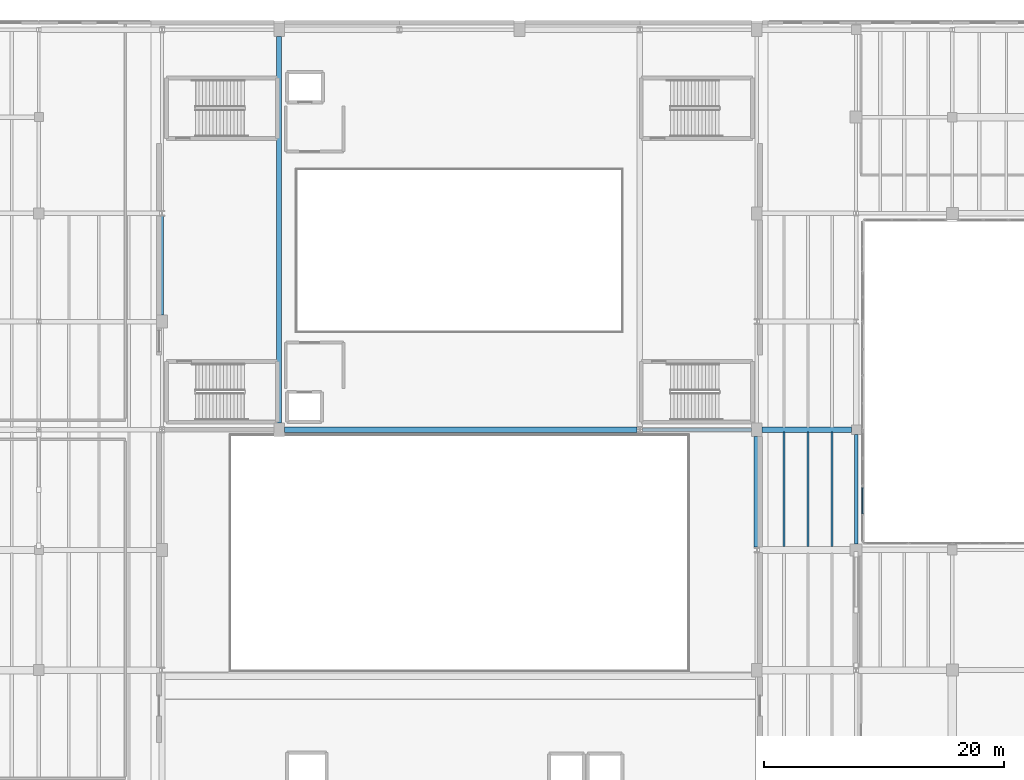
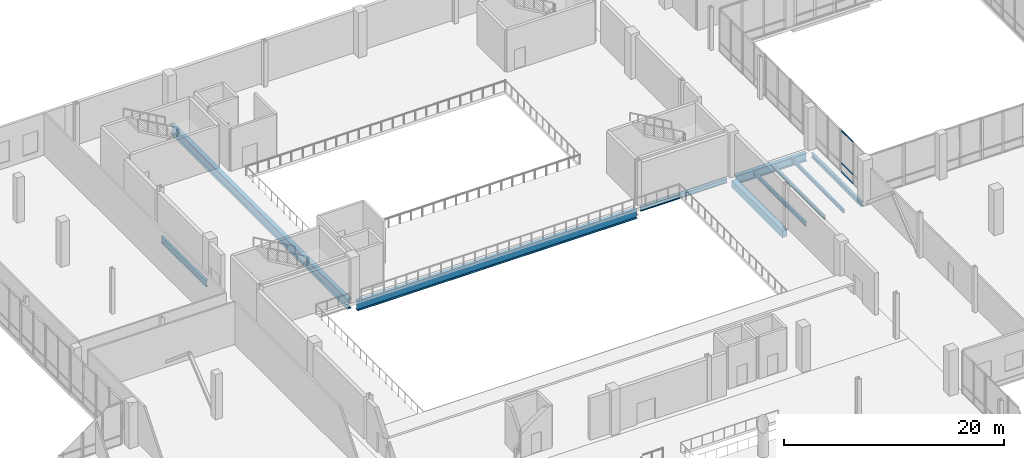
# One storey, part 35 of 73: 10 beams, 3 members, 1 element without a shape of its own.
"""IFC4 building model written with IfcOpenShell, lengths in metres."""

from ifc_helpers import new_model, si_unit, direction, frame, origin, origin_2d, place, context, subcontext, project, spatial, rectangle, i_section, extrude, material, material_profile, profile_set, type_object, element, aggregate, save


model = new_model("IFC4")

# Units and contexts
model_context = context("Model", 3, precision=1e-05, world=origin(), true_north=direction((0.0, 1.0)))
body_context = subcontext(model_context, "Body", "Model", "MODEL_VIEW")
ifc_project = project(units=[si_unit("LENGTHUNIT", "METRE"), si_unit("AREAUNIT", "SQUARE_METRE"), si_unit("VOLUMEUNIT", "CUBIC_METRE"), si_unit("PLANEANGLEUNIT", "RADIAN"), si_unit("MASSUNIT", "GRAM", prefix="KILO")], contexts=[model_context])

# Site, building, storey
site_placement = place(None, origin())
site = spatial("IfcSite", under=ifc_project, at=site_placement, CompositionType="ELEMENT")
building_placement = place(site_placement, origin())
building = spatial("IfcBuilding", under=site, at=building_placement, Name="Trimount Lyric Opera House", CompositionType="ELEMENT")
storey_placement = place(building_placement, frame((0.0, 0.0, 10.0)))
storey = spatial("IfcBuildingStorey", under=building, at=storey_placement, Name="L02", CompositionType="ELEMENT", Elevation=10.0)

# Beams
ifc_material_1 = material(Name="Steel ASTM A992 Grade 50", Category="steel")
ifc_material_profile_1 = material_profile(ifc_material_1, i_section(OverallWidth=0.4189453125, OverallDepth=0.927001953125, WebThickness=0.019287109375, FlangeThickness=0.031982421875, FilletRadius=0.02392578125, at=origin_2d()), Name="W36X231")
ifc_profile_set_1 = profile_set([ifc_material_profile_1], Name="Steel ASTM A992 Grade 50")
beam_type_1 = type_object("IfcBeamType", Name="B-02", PredefinedType="BEAM", material=ifc_profile_set_1)
beam_1_placement = place(storey_placement, frame((114.18994140625, 84.0, -0.78857421875), z_axis=(1.0, 0.0, 0.0), x_axis=(0.0, 1.0, 0.0)))
element("IfcBeam", 1, at=beam_1_placement, inside=storey, type_object=beam_type_1, Name="L02 girder X-0779", PredefinedType="BEAM", context=body_context, shape_type="SweptSolid", body=[
    extrude(i_section(OverallWidth=0.4189453125, OverallDepth=0.927001953125, WebThickness=0.019287109375, FlangeThickness=0.031982421875, FilletRadius=0.02392578125, at=origin_2d()), origin(), (0.0, 0.0, 1.0), 7.41015625),
])
ifc_material_2 = material(Name="Steel ASTM A992 Grade 50", Category="steel")
ifc_material_profile_2 = material_profile(ifc_material_2, i_section(OverallWidth=0.25390625, OverallDepth=0.68798828125, WebThickness=0.01318359375, FlangeThickness=0.02099609375, FilletRadius=0.01611328125, at=origin_2d()), Name="W27X102")
ifc_profile_set_2 = profile_set([ifc_material_profile_2], Name="Steel ASTM A992 Grade 50")
beam_type_2 = type_object("IfcBeamType", Name="B-09", PredefinedType="BEAM", material=ifc_profile_set_2)
beam_2_placement = place(storey_placement, frame((64.260009765625, 93.550048828125, -0.6689453125), z_axis=(0.0, 1.0, 0.0), x_axis=(-1.0, 0.0, 0.0)))
element("IfcBeam", 2, at=beam_2_placement, inside=storey, type_object=beam_type_2, Name="L02 girder Y-0880", PredefinedType="BEAM", context=body_context, shape_type="SweptSolid", body=[
    extrude(i_section(OverallWidth=0.25390625, OverallDepth=0.68798828125, WebThickness=0.01318359375, FlangeThickness=0.02099609375, FilletRadius=0.01611328125, at=origin_2d()), origin(), (0.0, 0.0, 1.0), 8.217529296875),
])
ifc_material_3 = material(Name="Concrete C40/50", Category="concrete")
ifc_material_profile_3 = material_profile(ifc_material_3, rectangle(XDim=0.5, YDim=0.800048828125, at=origin_2d()), Name="RC500X800")
ifc_profile_set_3 = profile_set([ifc_material_profile_3], Name="Concrete C40/50")
beam_type_3 = type_object("IfcBeamType", Name="B-15", PredefinedType="BEAM", material=ifc_profile_set_3)
beam_3_placement = place(storey_placement, frame((113.739990234375, 74.232421875, -0.72509765625), z_axis=(0.0, 1.0, 0.0), x_axis=(-1.0, 0.0, 0.0)))
element("IfcBeam", 3, at=beam_3_placement, inside=storey, type_object=beam_type_3, Name="L02 girder Y-0891", PredefinedType="BEAM", context=body_context, shape_type="SweptSolid", body=[
    extrude(rectangle(XDim=0.5, YDim=0.800048828125, at=origin_2d()), origin(), (0.0, 0.0, 1.0), 9.217529296875),
])
ifc_material_4 = material(Name="Steel ASTM A992 Grade 50", Category="steel")
ifc_material_profile_4 = material_profile(ifc_material_4, i_section(OverallWidth=0.19091796875, OverallDepth=0.45703125, WebThickness=0.009033203125, FlangeThickness=0.014404296875, FilletRadius=0.010986328125, at=origin_2d()), Name="W18X50")
ifc_profile_set_4 = profile_set([ifc_material_profile_4], Name="Steel ASTM A992 Grade 50")
beam_type_4 = type_object("IfcBeamType", Name="J-04", PredefinedType="BEAM", material=ifc_profile_set_4)
beam_4_placement = place(storey_placement, frame((116.0, 74.27099609375, -0.508544921875), z_axis=(0.0, 1.0, 0.0), x_axis=(-1.0, 0.0, 0.0)))
element("IfcBeam", 4, at=beam_4_placement, inside=storey, type_object=beam_type_4, Name="L02 composite floor joist 0914", PredefinedType="BEAM", context=body_context, shape_type="SweptSolid", body=[
    extrude(i_section(OverallWidth=0.19091796875, OverallDepth=0.45703125, WebThickness=0.009033203125, FlangeThickness=0.014404296875, FilletRadius=0.010986328125, at=origin_2d()), origin(), (0.0, 0.0, 1.0), 9.5234375),
])
ifc_material_5 = material(Name="Steel ASTM A992 Grade 50", Category="steel")
ifc_material_profile_5 = material_profile(ifc_material_5, i_section(OverallWidth=0.180908203125, OverallDepth=0.4169921875, WebThickness=0.010986328125, FlangeThickness=0.018310546875, FilletRadius=0.010986328125, at=origin_2d()), Name="W16X57")
ifc_profile_set_5 = profile_set([ifc_material_profile_5], Name="Steel ASTM A992 Grade 50")
beam_type_5 = type_object("IfcBeamType", Name="J-05", PredefinedType="BEAM", material=ifc_profile_set_5)
beam_5_placement = place(storey_placement, frame((118.0, 74.27099609375, -0.488525390625), z_axis=(0.0, 1.0, 0.0), x_axis=(-1.0, 0.0, 0.0)))
element("IfcBeam", 5, at=beam_5_placement, inside=storey, type_object=beam_type_5, Name="L02 composite floor joist 0915", PredefinedType="BEAM", context=body_context, shape_type="SweptSolid", body=[
    extrude(i_section(OverallWidth=0.180908203125, OverallDepth=0.4169921875, WebThickness=0.010986328125, FlangeThickness=0.018310546875, FilletRadius=0.010986328125, at=origin_2d()), origin(), (0.0, 0.0, 1.0), 9.5234375),
])
ifc_material_6 = material(Name="Steel ASTM A992 Grade 50", Category="steel")
ifc_material_profile_6 = material_profile(ifc_material_6, i_section(OverallWidth=0.177978515625, OverallDepth=0.404052734375, WebThickness=0.007568359375, FlangeThickness=0.010986328125, FilletRadius=0.010009765625, at=origin_2d()), Name="W16X36")
ifc_profile_set_6 = profile_set([ifc_material_profile_6], Name="Steel ASTM A992 Grade 50")
beam_type_6 = type_object("IfcBeamType", Name="J-06", PredefinedType="BEAM", material=ifc_profile_set_6)
beam_6_placement = place(storey_placement, frame((120.0, 74.27099609375, -0.48193359375), z_axis=(0.0, 1.0, 0.0), x_axis=(-1.0, 0.0, 0.0)))
element("IfcBeam", 6, at=beam_6_placement, inside=storey, type_object=beam_type_6, Name="L02 composite floor joist 0916", PredefinedType="BEAM", context=body_context, shape_type="SweptSolid", body=[
    extrude(i_section(OverallWidth=0.177978515625, OverallDepth=0.404052734375, WebThickness=0.007568359375, FlangeThickness=0.010986328125, FilletRadius=0.010009765625, at=origin_2d()), origin(), (0.0, 0.0, 1.0), 9.5234375),
])
ifc_material_7 = material(Name="Steel ASTM A992 Grade 50", Category="steel")
ifc_material_profile_7 = material_profile(ifc_material_7, i_section(OverallWidth=0.281982421875, OverallDepth=0.467041015625, WebThickness=0.01220703125, FlangeThickness=0.01953125, FilletRadius=0.012939453125, at=origin_2d()), Name="W18X86")
ifc_profile_set_7 = profile_set([ifc_material_profile_7], Name="Steel ASTM A992 Grade 50")
beam_type_7 = type_object("IfcBeamType", Name="SP-01", PredefinedType="SPANDREL", material=ifc_profile_set_7)
beam_7_placement = place(storey_placement, frame((104.2109375, 84.0, -0.55859375), z_axis=(1.0, 0.0, 0.0), x_axis=(0.0, 1.0, 0.0)))
element("IfcBeam", 7, at=beam_7_placement, inside=storey, type_object=beam_type_7, Name="L02 girder X-0778", PredefinedType="SPANDREL", context=body_context, shape_type="SweptSolid", body=[
    extrude(i_section(OverallWidth=0.281982421875, OverallDepth=0.467041015625, WebThickness=0.01220703125, FlangeThickness=0.01953125, FilletRadius=0.012939453125, at=origin_2d()), origin(), (0.0, 0.0, 1.0), 9.0791015625),
])
beam_8_placement = place(storey_placement, frame((122.0, 74.5, -0.5234375), z_axis=(0.0, 1.0, 0.0), x_axis=(-1.0, 0.0, 0.0)))
element("IfcBeam", 8, at=beam_8_placement, inside=storey, type_object=beam_type_7, Name="L02 girder Y-0898", PredefinedType="SPANDREL", context=body_context, shape_type="SweptSolid", body=[
    extrude(i_section(OverallWidth=0.281982421875, OverallDepth=0.467041015625, WebThickness=0.01220703125, FlangeThickness=0.01953125, FilletRadius=0.012939453125, at=origin_2d()), origin(), (0.0, 0.0, 1.0), 9.10009765625),
])
ifc_material_8 = material(Name="Steel ASTM A992 Grade 50", Category="steel")
ifc_material_profile_8 = material_profile(ifc_material_8, i_section(OverallWidth=0.427001953125, OverallDepth=1.092041015625, WebThickness=0.031005859375, FlangeThickness=0.055908203125, FilletRadius=0.02490234375, at=origin_2d()), Name="W40X397")
ifc_profile_set_8 = profile_set([ifc_material_profile_8], Name="Steel ASTM A992 Grade 50")
beam_type_8 = type_object("IfcBeamType", Name="TG-02", PredefinedType="USERDEFINED", material=ifc_profile_set_8)
beam_9_placement = place(storey_placement, frame((74.0, 84.550048828125, -0.87109375), z_axis=(0.0, 1.0, 0.0), x_axis=(-1.0, 0.0, 0.0)))
element("IfcBeam", 9, at=beam_9_placement, inside=storey, type_object=beam_type_8, Name="L02 girder Y-0884", ObjectType="TRANSFER_GIRDER", PredefinedType="USERDEFINED", context=body_context, shape_type="SweptSolid", body=[
    extrude(i_section(OverallWidth=0.427001953125, OverallDepth=1.092041015625, WebThickness=0.031005859375, FlangeThickness=0.055908203125, FilletRadius=0.02490234375, at=origin_2d()), origin(), (0.0, 0.0, 1.0), 32.179931640625),
])
ifc_material_9 = material(Name="Steel ASTM A992 Grade 50", Category="steel")
ifc_material_profile_9 = material_profile(ifc_material_9, i_section(OverallWidth=0.4189453125, OverallDepth=1.052001953125, WebThickness=0.023681640625, FlangeThickness=0.0419921875, FilletRadius=0.02490234375, at=origin_2d()), Name="W40X297")
ifc_profile_set_9 = profile_set([ifc_material_profile_9], Name="Steel ASTM A992 Grade 50")
beam_type_9 = type_object("IfcBeamType", Name="TG-03", PredefinedType="USERDEFINED", material=ifc_profile_set_9)
beam_10_placement = place(storey_placement, frame((74.449951171875, 84.0, -0.85107421875), z_axis=(1.0, 0.0, 0.0), x_axis=(0.0, 1.0, 0.0)))
element("IfcBeam", 10, at=beam_10_placement, inside=storey, type_object=beam_type_9, Name="L02 girder X-0777", ObjectType="TRANSFER_GIRDER", PredefinedType="USERDEFINED", context=body_context, shape_type="SweptSolid", body=[
    extrude(i_section(OverallWidth=0.4189453125, OverallDepth=1.052001953125, WebThickness=0.023681640625, FlangeThickness=0.0419921875, FilletRadius=0.02490234375, at=origin_2d()), origin(), (0.0, 0.0, 1.0), 29.339111328125),
])

# Curtain wall, members
ifc_material_10 = material(Name="Thermally Broken Aluminium and Low-E Glass", Category="aluminium")
curtain_wall_type = type_object("IfcCurtainWallType", Name="CW-03", PredefinedType="NOTDEFINED", material=ifc_material_10)
curtain_wall_placement = place(storey_placement, origin())
curtain_wall = element("IfcCurtainWall", 11, at=curtain_wall_placement, inside=storey, type_object=curtain_wall_type, Name="L02 curtain wall 244", PredefinedType="NOTDEFINED")
ifc_material_11 = material(Name="Anodised Aluminium 6063-T6", Category="aluminium")
ifc_material_profile_10 = material_profile(ifc_material_11, rectangle(XDim=0.135009765625, YDim=0.06494140625, at=origin_2d()), Name="ALU-TRAN-65X135")
ifc_profile_set_10 = profile_set([ifc_material_profile_10], Name="Anodised Aluminium 6063-T6")
member_type = type_object("IfcMemberType", Name="TR-02", PredefinedType="USERDEFINED", material=ifc_profile_set_10)
member_1_placement = place(storey_placement, frame((122.5400390625, 79.18505859375, 0.0673828125), z_axis=(0.0, -1.0, 0.0), x_axis=(1.0, 0.0, 0.0)))
member_1 = element("IfcMember", 12, at=member_1_placement, type_object=member_type, Name="CW-03 transom 1.1", ObjectType="TRANSOM", PredefinedType="USERDEFINED", context=body_context, shape_type="SweptSolid", body=[
    extrude(rectangle(XDim=0.135009765625, YDim=0.06494140625, at=origin_2d()), origin(), (0.0, 0.0, 1.0), 2.1875),
])
member_2_placement = place(storey_placement, frame((122.5400390625, 79.18505859375, 1.050048828125), z_axis=(0.0, -1.0, 0.0), x_axis=(1.0, 0.0, 0.0)))
member_2 = element("IfcMember", 13, at=member_2_placement, type_object=member_type, Name="CW-03 transom 1.2", ObjectType="TRANSOM", PredefinedType="USERDEFINED", context=body_context, shape_type="SweptSolid", body=[
    extrude(rectangle(XDim=0.135009765625, YDim=0.06494140625, at=origin_2d()), origin(), (0.0, 0.0, 1.0), 2.1875),
])
member_3_placement = place(storey_placement, frame((122.5400390625, 79.18505859375, 4.642578125), z_axis=(0.0, -1.0, 0.0), x_axis=(1.0, 0.0, 0.0)))
member_3 = element("IfcMember", 14, at=member_3_placement, type_object=member_type, Name="CW-03 transom 1.3", ObjectType="TRANSOM", PredefinedType="USERDEFINED", context=body_context, shape_type="SweptSolid", body=[
    extrude(rectangle(XDim=0.135009765625, YDim=0.06494140625, at=origin_2d()), origin(), (0.0, 0.0, 1.0), 2.1875),
])
aggregate(curtain_wall, [member_1, member_2, member_3])

save(model, "model.ifc")
